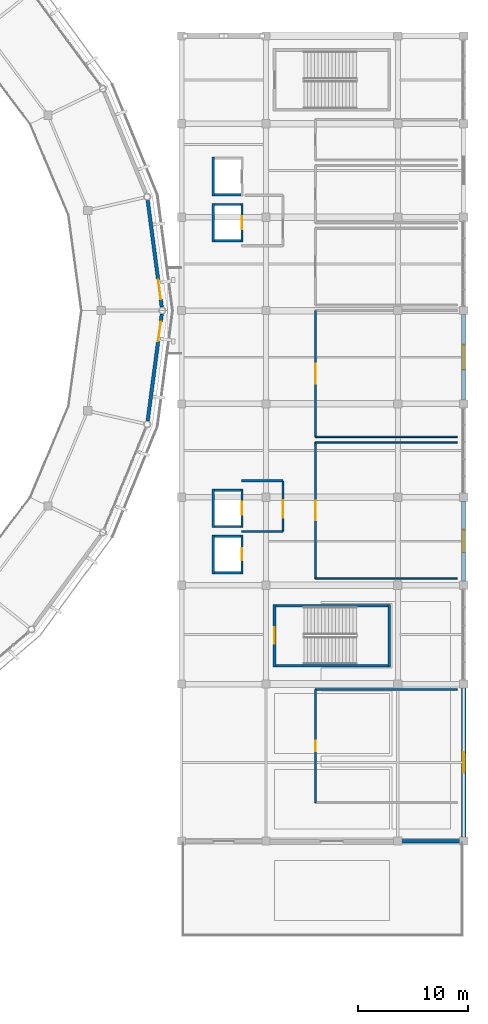
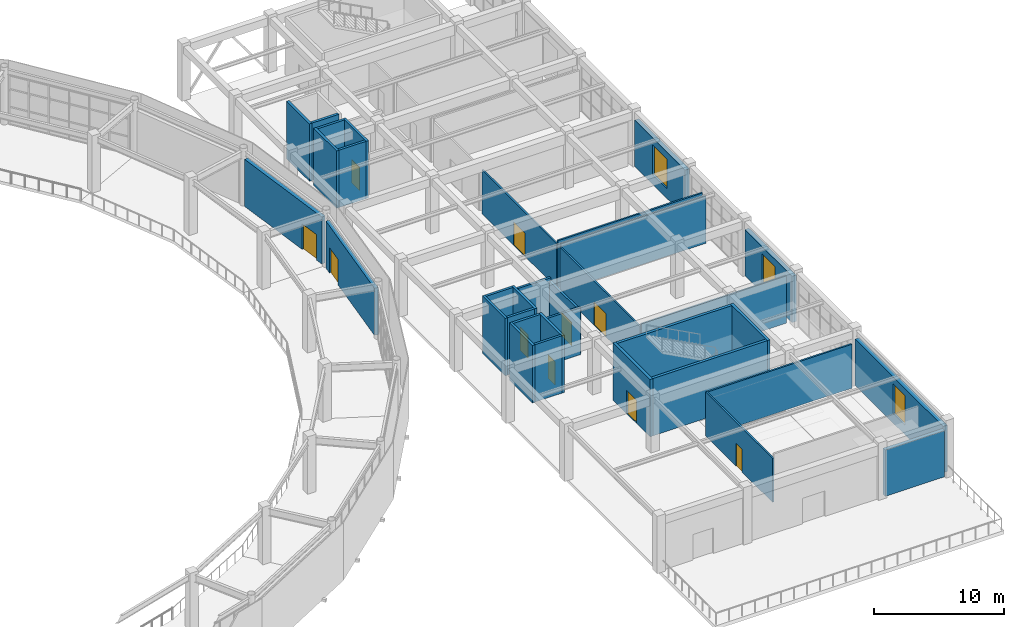
# One storey, part 57 of 70: 34 walls, 10 doors, 3 windows, 13 openings.
"""IFC4 building model written with IfcOpenShell, lengths in metres."""

from ifc_helpers import new_model, si_unit, direction, frame, frame_2d, origin, place, context, subcontext, project, spatial, rectangle, extrude, material, layer, layer_set, type_object, element, fill, save


model = new_model("IFC4")

# Units and contexts
model_context = context("Model", 3, precision=1e-05, world=origin(), true_north=direction((0.0, 1.0)))
body_context = subcontext(model_context, "Body", "Model", "MODEL_VIEW")
ifc_project = project(units=[si_unit("LENGTHUNIT", "METRE"), si_unit("AREAUNIT", "SQUARE_METRE"), si_unit("VOLUMEUNIT", "CUBIC_METRE"), si_unit("PLANEANGLEUNIT", "RADIAN"), si_unit("MASSUNIT", "GRAM", prefix="KILO")], contexts=[model_context])

# Site, building, storey
site_placement = place(None, origin())
site = spatial("IfcSite", under=ifc_project, at=site_placement, CompositionType="ELEMENT")
building_placement = place(site_placement, origin())
building = spatial("IfcBuilding", under=site, at=building_placement, Name="Cuetzalor Civic Arena", CompositionType="ELEMENT")
storey_placement = place(building_placement, frame((0.0, 0.0, 21.0)))
storey = spatial("IfcBuildingStorey", under=building, at=storey_placement, Name="L04", CompositionType="ELEMENT", Elevation=21.0)

# Walls
ifc_material_1 = material(Name="Acoustic steel-stud gypsum partition", Category="steel")
ifc_layer_1 = layer(ifc_material_1, 0.14990234375)
ifc_layer_set_1 = layer_set([ifc_layer_1], Name="Acoustic steel-stud gypsum partition")
wall_type_1 = type_object("IfcWallType", Name="AcousticGypsumPartition_150", PredefinedType="PARTITIONING", material=ifc_layer_set_1)
for number, where, z_axis, x_axis, name in (
    (1, (68.5, -12.0, 0.0), (0.0, 0.0, 1.0), (1.0, 0.0, 0.0), "Interior Partition IWALL:L04:0523"),
    (2, (81.39990234375, -24.39990234375, 0.0), (0.0, 0.0, 1.0), (-1.0, 0.0, 0.0), "Interior Partition IWALL:L04:0524"),
):
    element("IfcWall", number, at=place(storey_placement, frame(where, z_axis=z_axis, x_axis=x_axis)), inside=storey, type_object=wall_type_1, Name=name, PredefinedType="PARTITIONING", context=body_context, shape_type="SweptSolid", body=[
        extrude(rectangle(XDim=12.89990234375, YDim=0.14990234375, at=frame_2d((6.449951171875, 0.0))), origin(), (0.0, 0.0, 1.0), 4.445068359375),
    ])

# Wall, opening, door
wall_1_placement = place(storey_placement, frame((68.5, -24.39990234375, 0.0), z_axis=(0.0, 0.0, 1.0), x_axis=(0.0, 1.0, 0.0)))
wall_1 = element("IfcWall", 3, at=wall_1_placement, inside=storey, type_object=wall_type_1, Name="Interior Partition IWALL:L04:0525", PredefinedType="PARTITIONING", context=body_context, shape_type="SweptSolid", body=[
    extrude(rectangle(XDim=12.39990234375, YDim=0.14990234375, at=frame_2d((6.199951171875, 0.0))), origin(), (0.0, 0.0, 1.0), 4.14501953125),
])
opening_1_placement = place(wall_1_placement, frame((5.300048828125, 0.0, 0.0)))
opening_1 = element("IfcOpeningElement", 4, at=opening_1_placement, cuts=wall_1, Name="Opening ID-06", PredefinedType="OPENING", context=body_context, shape_type="SweptSolid", body=[
    extrude(rectangle(XDim=1.800048828125, YDim=2.199951171875, at=frame_2d((0.89990234375, 1.10009765625))), frame((0.0, 0.0849609375, 0.0), z_axis=(0.0, -1.0, 0.0), x_axis=(1.0, 0.0, 0.0)), (0.0, 0.0, 1.0), 0.169921875),
])
ifc_material_2 = material(Name="Glazed bronze acoustic double door", Category="metal")
door_type_1 = type_object("IfcDoorType", Name="PublicDoubleDoor_1800x2200", OperationType="DOUBLE_DOOR_SINGLE_SWING", PredefinedType="DOOR", material=ifc_material_2)
door_1_placement = place(opening_1_placement, origin())
door_1 = element("IfcDoor", 5, at=door_1_placement, inside=storey, type_object=door_type_1, Name="Door to Hospitality Club Lounge East Sky L04", OperationType="DOUBLE_DOOR_SINGLE_SWING", OverallHeight=2.199951171875, OverallWidth=1.800048828125, PredefinedType="DOOR", context=body_context, shape_type="SweptSolid", body=[
    extrude(rectangle(XDim=1.800048828125, YDim=2.199951171875, at=frame_2d((0.89990234375, 1.10009765625))), frame((0.0, 0.02490234375, 0.0), z_axis=(0.0, -1.0, 0.0), x_axis=(1.0, 0.0, 0.0)), (0.0, 0.0, 1.0), 0.050048828125),
])
fill(opening_1, door_1)

# Wall
wall_2_placement = place(storey_placement, frame((81.39990234375, -11.5, 0.0), z_axis=(0.0, 0.0, 1.0), x_axis=(-1.0, 0.0, 0.0)))
element("IfcWall", 6, at=wall_2_placement, inside=storey, type_object=wall_type_1, Name="Interior Partition IWALL:L04:0527", PredefinedType="PARTITIONING", context=body_context, shape_type="SweptSolid", body=[
    extrude(rectangle(XDim=12.89990234375, YDim=0.14990234375, at=frame_2d((6.449951171875, 0.0))), origin(), (0.0, 0.0, 1.0), 4.445068359375),
])

# Wall, opening, door
wall_3_placement = place(storey_placement, frame((68.5, -11.5, 0.0), z_axis=(0.0, 0.0, 1.0), x_axis=(0.0, 1.0, 0.0)))
wall_3 = element("IfcWall", 7, at=wall_3_placement, inside=storey, type_object=wall_type_1, Name="Interior Partition IWALL:L04:0528", PredefinedType="PARTITIONING", context=body_context, shape_type="SweptSolid", body=[
    extrude(rectangle(XDim=11.5, YDim=0.14990234375, at=frame_2d((5.75, 0.0))), origin(), (0.0, 0.0, 1.0), 4.14501953125),
])
opening_2_placement = place(wall_3_placement, frame((4.85009765625, 0.0, 0.0)))
opening_2 = element("IfcOpeningElement", 8, at=opening_2_placement, cuts=wall_3, Name="Opening ID-06", PredefinedType="OPENING", context=body_context, shape_type="SweptSolid", body=[
    extrude(rectangle(XDim=1.800048828125, YDim=2.199951171875, at=frame_2d((0.89990234375, 1.10009765625))), frame((0.0, 0.0849609375, 0.0), z_axis=(0.0, -1.0, 0.0), x_axis=(1.0, 0.0, 0.0)), (0.0, 0.0, 1.0), 0.169921875),
])
door_2_placement = place(opening_2_placement, origin())
door_2 = element("IfcDoor", 9, at=door_2_placement, inside=storey, type_object=door_type_1, Name="Door to Sponsors Dining Hall East L04", OperationType="DOUBLE_DOOR_SINGLE_SWING", OverallHeight=2.199951171875, OverallWidth=1.800048828125, PredefinedType="DOOR", context=body_context, shape_type="SweptSolid", body=[
    extrude(rectangle(XDim=1.800048828125, YDim=2.199951171875, at=frame_2d((0.89990234375, 1.10009765625))), frame((0.0, 0.02490234375, 0.0), z_axis=(0.0, -1.0, 0.0), x_axis=(1.0, 0.0, 0.0)), (0.0, 0.0, 1.0), 0.050048828125),
])
fill(opening_2, door_2)

# Wall
wall_4_placement = place(storey_placement, frame((68.5, -34.5, 0.0), z_axis=(0.0, 0.0, 1.0), x_axis=(1.0, 0.0, 0.0)))
element("IfcWall", 10, at=wall_4_placement, inside=storey, type_object=wall_type_1, Name="Interior Partition IWALL:L04:0538", PredefinedType="PARTITIONING", context=body_context, shape_type="SweptSolid", body=[
    extrude(rectangle(XDim=12.89990234375, YDim=0.14990234375, at=frame_2d((6.449951171875, 0.0))), origin(), (0.0, 0.0, 1.0), 4.14501953125),
])

# Wall, opening, door
wall_5_placement = place(storey_placement, frame((68.5, -44.800048828125, 0.0), z_axis=(0.0, 0.0, 1.0), x_axis=(0.0, 1.0, 0.0)))
wall_5 = element("IfcWall", 11, at=wall_5_placement, inside=storey, type_object=wall_type_1, Name="Interior Partition IWALL:L04:0540", PredefinedType="PARTITIONING", context=body_context, shape_type="SweptSolid", body=[
    extrude(rectangle(XDim=10.300048828125, YDim=0.14990234375, at=frame_2d((5.14990234375, 0.0))), origin(), (0.0, 0.0, 1.0), 4.14501953125),
])
opening_3_placement = place(wall_5_placement, frame((4.675048828125, 0.0, 0.0)))
opening_3 = element("IfcOpeningElement", 12, at=opening_3_placement, cuts=wall_5, Name="Opening ID-03", PredefinedType="OPENING", context=body_context, shape_type="SweptSolid", body=[
    extrude(rectangle(XDim=0.949951171875, YDim=2.14990234375, at=frame_2d((0.47509765625, 1.074951171875))), frame((0.0, 0.0849609375, 0.0), z_axis=(0.0, -1.0, 0.0), x_axis=(1.0, 0.0, 0.0)), (0.0, 0.0, 1.0), 0.169921875),
])
ifc_material_3 = material(Name="Painted steel frame and solid timber leaf", Category="steel")
door_type_2 = type_object("IfcDoorType", Name="InteriorSingleDoor_950x2150", OperationType="NOTDEFINED", PredefinedType="DOOR", material=ifc_material_3)
door_3_placement = place(opening_3_placement, origin())
door_3 = element("IfcDoor", 13, at=door_3_placement, inside=storey, type_object=door_type_2, Name="Door to Catering Pantry East L04", OperationType="SINGLE_SWING_LEFT", OverallHeight=2.14990234375, OverallWidth=0.949951171875, PredefinedType="DOOR", context=body_context, shape_type="SweptSolid", body=[
    extrude(rectangle(XDim=0.949951171875, YDim=2.14990234375, at=frame_2d((0.47509765625, 1.074951171875))), frame((0.0, 0.02490234375, 0.0), z_axis=(0.0, -1.0, 0.0), x_axis=(1.0, 0.0, 0.0)), (0.0, 0.0, 1.0), 0.050048828125),
])
fill(opening_3, door_3)

ifc_material_4 = material(Name="Concrete C40/50", Category="concrete")
ifc_layer_2 = layer(ifc_material_4, 0.25)
ifc_layer_set_2 = layer_set([ifc_layer_2], Name="Concrete C40/50")
wall_type_2 = type_object("IfcWallType", Name="ConcreteCoreShearWall_250", PredefinedType="SHEAR", material=ifc_layer_set_2)
wall_6_placement = place(storey_placement, frame((64.77490234375, -32.449951171875, 0.0), z_axis=(0.0, 0.0, 1.0), x_axis=(0.0, 1.0, 0.0)))
wall_6 = element("IfcWall", 14, at=wall_6_placement, inside=storey, type_object=wall_type_2, Name="Stair Core Shear Wall ST-21-L04-W", PredefinedType="SHEAR", context=body_context, shape_type="SweptSolid", body=[
    extrude(rectangle(XDim=5.699951171875, YDim=0.25, at=frame_2d((2.85009765625, 0.0))), origin(), (0.0, 0.0, 1.0), 5.39990234375),
])
opening_4_placement = place(wall_6_placement, frame((2.10009765625, 0.0, 0.0)))
opening_4 = element("IfcOpeningElement", 15, at=opening_4_placement, cuts=wall_6, Name="Opening FD-03", PredefinedType="OPENING", context=body_context, shape_type="SweptSolid", body=[
    extrude(rectangle(XDim=1.5, YDim=2.199951171875, at=frame_2d((0.75, 1.10009765625))), frame((0.0, 0.135009765625, 0.0), z_axis=(0.0, -1.0, 0.0), x_axis=(1.0, 0.0, 0.0)), (0.0, 0.0, 1.0), 0.27001953125),
])
ifc_material_5 = material(Name="Fire-rated steel stair exit double door", Category="steel")
door_type_3 = type_object("IfcDoorType", Name="StairFireDoubleDoor_1500x2200", OperationType="DOUBLE_DOOR_SINGLE_SWING", PredefinedType="DOOR", material=ifc_material_5)
door_4_placement = place(opening_4_placement, origin())
door_4 = element("IfcDoor", 16, at=door_4_placement, inside=storey, type_object=door_type_3, Name="Fire Stair Door ST-21 L04", OperationType="DOUBLE_DOOR_SINGLE_SWING", OverallHeight=2.199951171875, OverallWidth=1.5, PredefinedType="DOOR", context=body_context, shape_type="SweptSolid", body=[
    extrude(rectangle(XDim=1.5, YDim=2.199951171875, at=frame_2d((0.75, 1.10009765625))), frame((0.0, 0.02490234375, 0.0), z_axis=(0.0, -1.0, 0.0), x_axis=(1.0, 0.0, 0.0)), (0.0, 0.0, 1.0), 0.050048828125),
])
fill(opening_4, door_4)

# Walls
wall_7_placement = place(storey_placement, frame((64.89990234375, -26.875, 0.0), z_axis=(0.0, 0.0, 1.0), x_axis=(1.0, 0.0, 0.0)))
element("IfcWall", 17, at=wall_7_placement, inside=storey, type_object=wall_type_2, Name="Stair Core Shear Wall ST-21-L04-N", PredefinedType="SHEAR", context=body_context, shape_type="SweptSolid", body=[
    extrude(rectangle(XDim=10.2001953125, YDim=0.25, at=frame_2d((5.10009765625, 0.0))), origin(), (0.0, 0.0, 1.0), 5.39990234375),
])
wall_8_placement = place(storey_placement, frame((75.22509765625, -26.75, 0.0), z_axis=(0.0, 0.0, 1.0), x_axis=(0.0, -1.0, 0.0)))
element("IfcWall", 18, at=wall_8_placement, inside=storey, type_object=wall_type_2, Name="Stair Core Shear Wall ST-21-L04-E", PredefinedType="SHEAR", context=body_context, shape_type="SweptSolid", body=[
    extrude(rectangle(XDim=5.699951171875, YDim=0.25, at=frame_2d((2.85009765625, 0.0))), origin(), (0.0, 0.0, 1.0), 5.39990234375),
])
wall_9_placement = place(storey_placement, frame((75.10009765625, -32.324951171875, 0.0), z_axis=(0.0, 0.0, 1.0), x_axis=(-1.0, 0.0, 0.0)))
element("IfcWall", 19, at=wall_9_placement, inside=storey, type_object=wall_type_2, Name="Stair Core Shear Wall ST-21-L04-S", PredefinedType="SHEAR", context=body_context, shape_type="SweptSolid", body=[
    extrude(rectangle(XDim=10.2001953125, YDim=0.25, at=frame_2d((5.10009765625, 0.0))), origin(), (0.0, 0.0, 1.0), 5.39990234375),
])

# Wall, opening, door
ifc_material_6 = material(Name="Fire-rated masonry and gypsum partition", Category="masonry")
ifc_layer_3 = layer(ifc_material_6, 0.199951171875)
ifc_layer_set_3 = layer_set([ifc_layer_3], Name="Fire-rated masonry and gypsum partition")
wall_type_3 = type_object("IfcWallType", Name="FireCompartmentWall_200", PredefinedType="PARTITIONING", material=ifc_layer_set_3)
wall_10_placement = place(storey_placement, frame((65.550048828125, -15.5, 0.0), z_axis=(0.0, 0.0, 1.0), x_axis=(0.0, -1.0, 0.0)))
wall_10 = element("IfcWall", 20, at=wall_10_placement, inside=storey, type_object=wall_type_3, Name="Interior Partition IWALL:L04:0049", PredefinedType="PARTITIONING", context=body_context, shape_type="SweptSolid", body=[
    extrude(rectangle(XDim=4.60009765625, YDim=0.199951171875, at=frame_2d((2.300048828125, 0.0))), origin(), (0.0, 0.0, 1.0), 4.14501953125),
])
opening_5_placement = place(wall_10_placement, frame((1.75, 0.0, 0.0)))
opening_5 = element("IfcOpeningElement", 21, at=opening_5_placement, cuts=wall_10, Name="Opening FD-05", PredefinedType="OPENING", context=body_context, shape_type="SweptSolid", body=[
    extrude(rectangle(XDim=1.60009765625, YDim=2.199951171875, at=frame_2d((0.800048828125, 1.10009765625))), frame((0.0, 0.10986328125, 0.0), z_axis=(0.0, -1.0, 0.0), x_axis=(1.0, 0.0, 0.0)), (0.0, 0.0, 1.0), 0.219970703125),
])
ifc_material_7 = material(Name="Fire-rated smoke-seal lobby double door", Category="steel")
door_type_4 = type_object("IfcDoorType", Name="FireLobbyDoubleDoor_1600x2200", OperationType="DOUBLE_DOOR_SINGLE_SWING", PredefinedType="DOOR", material=ifc_material_7)
door_5_placement = place(opening_5_placement, origin())
door_5 = element("IfcDoor", 22, at=door_5_placement, inside=storey, type_object=door_type_4, Name="Door to Firefighting Lift Lobby LF-03 L04", OperationType="DOUBLE_DOOR_SINGLE_SWING", OverallHeight=2.199951171875, OverallWidth=1.60009765625, PredefinedType="DOOR", context=body_context, shape_type="SweptSolid", body=[
    extrude(rectangle(XDim=1.60009765625, YDim=2.199951171875, at=frame_2d((0.800048828125, 1.10009765625))), frame((0.0, 0.02490234375, 0.0), z_axis=(0.0, -1.0, 0.0), x_axis=(1.0, 0.0, 0.0)), (0.0, 0.0, 1.0), 0.050048828125),
])
fill(opening_5, door_5)

# Walls
for number, where, z_axis, x_axis, name in (
    (23, (61.75, -15.5, 0.0), (0.0, 0.0, 1.0), (1.0, 0.0, 0.0), "Interior Partition IWALL:L04:0050"),
    (24, (65.550048828125, -20.10009765625, 0.0), (0.0, 0.0, 1.0), (-1.0, 0.0, 0.0), "Interior Partition IWALL:L04:0051"),
):
    element("IfcWall", number, at=place(storey_placement, frame(where, z_axis=z_axis, x_axis=x_axis)), inside=storey, type_object=wall_type_3, Name=name, PredefinedType="PARTITIONING", context=body_context, shape_type="SweptSolid", body=[
        extrude(rectangle(XDim=3.800048828125, YDim=0.199951171875, at=frame_2d((1.89990234375, 0.0))), origin(), (0.0, 0.0, 1.0), 4.445068359375),
    ])

# Wall, opening, door
ifc_material_8 = material(Name="Precast concrete C40/50 insulated cladding", Category="concrete")
ifc_layer_4 = layer(ifc_material_8, 0.320068359375)
ifc_layer_set_4 = layer_set([ifc_layer_4], Name="Precast concrete C40/50 insulated cladding")
wall_type_4 = type_object("IfcWallType", Name="InsulatedPrecastWall_320", PredefinedType="SOLIDWALL", material=ifc_layer_set_4)
wall_11_placement = place(storey_placement, frame((53.224853515625, 10.036865234375, 0.0), z_axis=(0.0, 0.0, 1.0), x_axis=(0.130894016981, -0.991396366908, 0.0)))
wall_11 = element("IfcWall", 25, at=wall_11_placement, inside=storey, type_object=wall_type_4, Name="Drum Acoustic Backing Wall L04-057", PredefinedType="SOLIDWALL", context=body_context, shape_type="SweptSolid", body=[
    extrude(rectangle(XDim=9.799560546875, YDim=0.320068359375, at=frame_2d((4.89990234375, 0.0))), origin(), (0.0, 0.0, 1.0), 4.431884765625),
])
opening_6_placement = place(wall_11_placement, frame((7.299560546875, 0.0, 0.0)))
opening_6 = element("IfcOpeningElement", 26, at=opening_6_placement, cuts=wall_11, Name="Opening ED-09", PredefinedType="OPENING", context=body_context, shape_type="SweptSolid", body=[
    extrude(rectangle(XDim=1.800048828125, YDim=2.39990234375, at=frame_2d((0.89990234375, 1.199951171875))), frame((0.0, 0.169921875, 0.0), z_axis=(0.0, -1.0, 0.0), x_axis=(1.0, 0.0, 0.0)), (0.0, 0.0, 1.0), 0.340087890625),
])
ifc_material_9 = material(Name="Thermally broken bronze steel and laminated glass", Category="steel")
door_type_5 = type_object("IfcDoorType", Name="RoofGardenGlazedDoor_1800x2400", OperationType="DOUBLE_DOOR_SINGLE_SWING", PredefinedType="DOOR", material=ifc_material_9)
door_6_placement = place(opening_6_placement, origin())
door_6 = element("IfcDoor", 27, at=door_6_placement, inside=storey, type_object=door_type_5, Name="Seismic Bridge Circulation Door L04-S01", OperationType="DOUBLE_DOOR_SINGLE_SWING", OverallHeight=2.39990234375, OverallWidth=1.800048828125, PredefinedType="DOOR", context=body_context, shape_type="SweptSolid", body=[
    extrude(rectangle(XDim=1.800048828125, YDim=2.39990234375, at=frame_2d((0.89990234375, 1.199951171875))), frame((0.0, 0.02490234375, 0.0), z_axis=(0.0, -1.0, 0.0), x_axis=(1.0, 0.0, 0.0)), (0.0, 0.0, 1.0), 0.050048828125),
])
fill(opening_6, door_6)

wall_12_placement = place(storey_placement, frame((54.507568359375, -0.321533203125, 0.0), z_axis=(0.0, 0.0, 1.0), x_axis=(-0.130894016981, -0.991396366908, 0.0)))
wall_12 = element("IfcWall", 28, at=wall_12_placement, inside=storey, type_object=wall_type_4, Name="Drum Acoustic Backing Wall L04-072", PredefinedType="SOLIDWALL", context=body_context, shape_type="SweptSolid", body=[
    extrude(rectangle(XDim=9.799560546875, YDim=0.320068359375, at=frame_2d((4.89990234375, 0.0))), origin(), (0.0, 0.0, 1.0), 4.431884765625),
])
opening_7_placement = place(wall_12_placement, frame((0.699951171875, 0.0, 0.0)))
opening_7 = element("IfcOpeningElement", 29, at=opening_7_placement, cuts=wall_12, Name="Opening ED-09", PredefinedType="OPENING", context=body_context, shape_type="SweptSolid", body=[
    extrude(rectangle(XDim=1.800048828125, YDim=2.39990234375, at=frame_2d((0.89990234375, 1.199951171875))), frame((0.0, 0.169921875, 0.0), z_axis=(0.0, -1.0, 0.0), x_axis=(1.0, 0.0, 0.0)), (0.0, 0.0, 1.0), 0.340087890625),
])
door_7_placement = place(opening_7_placement, origin())
door_7 = element("IfcDoor", 30, at=door_7_placement, inside=storey, type_object=door_type_5, Name="Seismic Bridge Circulation Door L04-S28", OperationType="DOUBLE_DOOR_SINGLE_SWING", OverallHeight=2.39990234375, OverallWidth=1.800048828125, PredefinedType="DOOR", context=body_context, shape_type="SweptSolid", body=[
    extrude(rectangle(XDim=1.800048828125, YDim=2.39990234375, at=frame_2d((0.89990234375, 1.199951171875))), frame((0.0, 0.02490234375, 0.0), z_axis=(0.0, -1.0, 0.0), x_axis=(1.0, 0.0, 0.0)), (0.0, 0.0, 1.0), 0.050048828125),
])
fill(opening_7, door_7)

# Walls
wall_13_placement = place(storey_placement, frame((81.64306640625, -48.300048828125, 0.0), z_axis=(0.0, 0.0, 1.0), x_axis=(-1.0, 0.0, 0.0)))
element("IfcWall", 31, at=wall_13_placement, inside=storey, type_object=wall_type_4, Name="V4E L04 Roof Garden Access Wall L04-186", PredefinedType="SOLIDWALL", context=body_context, shape_type="SweptSolid", body=[
    extrude(rectangle(XDim=5.2861328125, YDim=0.320068359375, at=frame_2d((2.64306640625, 0.0))), origin(), (0.0, 0.0, 1.0), 4.360107421875),
])
ifc_material_10 = material(Name="Concrete C40/50", Category="concrete")
ifc_layer_5 = layer(ifc_material_10, 0.219970703125)
ifc_layer_set_5 = layer_set([ifc_layer_5], Name="Concrete C40/50")
wall_type_5 = type_object("IfcWallType", Name="LiftShaftShearWall_220", PredefinedType="SHEAR", material=ifc_layer_set_5)
wall_14_placement = place(storey_placement, frame((59.18994140625, -19.77001953125, 0.0), z_axis=(0.0, 0.0, 1.0), x_axis=(0.0, 1.0, 0.0)))
element("IfcWall", 32, at=wall_14_placement, inside=storey, type_object=wall_type_5, Name="Lift Shaft Wall LF-03-L04-W", PredefinedType="SHEAR", context=body_context, shape_type="SweptSolid", body=[
    extrude(rectangle(XDim=3.5400390625, YDim=0.219970703125, at=frame_2d((1.77001953125, 0.0))), origin(), (0.0, 0.0, 1.0), 5.39990234375),
])
wall_15_placement = place(storey_placement, frame((59.300048828125, -16.340087890625, 0.0), z_axis=(0.0, 0.0, 1.0), x_axis=(1.0, 0.0, 0.0)))
element("IfcWall", 33, at=wall_15_placement, inside=storey, type_object=wall_type_5, Name="Lift Shaft Wall LF-03-L04-N", PredefinedType="SHEAR", context=body_context, shape_type="SweptSolid", body=[
    extrude(rectangle(XDim=2.39990234375, YDim=0.219970703125, at=frame_2d((1.199951171875, 0.0))), origin(), (0.0, 0.0, 1.0), 5.39990234375),
])

# Wall, opening, door
wall_16_placement = place(storey_placement, frame((61.81005859375, -16.22998046875, 0.0), z_axis=(0.0, 0.0, 1.0), x_axis=(0.0, -1.0, 0.0)))
wall_16 = element("IfcWall", 34, at=wall_16_placement, inside=storey, type_object=wall_type_5, Name="Lift Shaft Wall LF-03-L04-E", PredefinedType="SHEAR", context=body_context, shape_type="SweptSolid", body=[
    extrude(rectangle(XDim=3.5400390625, YDim=0.219970703125, at=frame_2d((1.77001953125, 0.0))), origin(), (0.0, 0.0, 1.0), 5.39990234375),
])
opening_8_placement = place(wall_16_placement, frame((1.169921875, 0.0, 0.0)))
opening_8 = element("IfcOpeningElement", 35, at=opening_8_placement, cuts=wall_16, Name="Opening LD-02", PredefinedType="OPENING", context=body_context, shape_type="SweptSolid", body=[
    extrude(rectangle(XDim=1.199951171875, YDim=2.199951171875, at=frame_2d((0.60009765625, 1.10009765625))), frame((0.0, 0.1201171875, 0.0), z_axis=(0.0, -1.0, 0.0), x_axis=(1.0, 0.0, 0.0)), (0.0, 0.0, 1.0), 0.239990234375),
])
ifc_material_11 = material(Name="Fire-rated stainless steel sliding lift landing door", Category="steel")
door_type_6 = type_object("IfcDoorType", Name="LiftLandingSlidingDoor_1200x2200", OperationType="SLIDING_TO_LEFT", PredefinedType="DOOR", material=ifc_material_11)
door_8_placement = place(opening_8_placement, origin())
door_8 = element("IfcDoor", 36, at=door_8_placement, inside=storey, type_object=door_type_6, Name="Lift Landing Sliding Door LF-03 L04", OperationType="SLIDING_TO_LEFT", OverallHeight=2.199951171875, OverallWidth=1.199951171875, PredefinedType="DOOR", context=body_context, shape_type="SweptSolid", body=[
    extrude(rectangle(XDim=1.199951171875, YDim=2.199951171875, at=frame_2d((0.60009765625, 1.10009765625))), frame((0.0, 0.02490234375, 0.0), z_axis=(0.0, -1.0, 0.0), x_axis=(1.0, 0.0, 0.0)), (0.0, 0.0, 1.0), 0.050048828125),
])
fill(opening_8, door_8)

# Walls
wall_17_placement = place(storey_placement, frame((61.699951171875, -19.659912109375, 0.0), z_axis=(0.0, 0.0, 1.0), x_axis=(-1.0, 0.0, 0.0)))
element("IfcWall", 37, at=wall_17_placement, inside=storey, type_object=wall_type_5, Name="Lift Shaft Wall LF-03-L04-S", PredefinedType="SHEAR", context=body_context, shape_type="SweptSolid", body=[
    extrude(rectangle(XDim=2.39990234375, YDim=0.219970703125, at=frame_2d((1.199951171875, 0.0))), origin(), (0.0, 0.0, 1.0), 5.39990234375),
])
wall_18_placement = place(storey_placement, frame((59.18994140625, 6.22998046875, 0.0), z_axis=(0.0, 0.0, 1.0), x_axis=(0.0, 1.0, 0.0)))
element("IfcWall", 38, at=wall_18_placement, inside=storey, type_object=wall_type_5, Name="Lift Shaft Wall LF-04-L04-W", PredefinedType="SHEAR", context=body_context, shape_type="SweptSolid", body=[
    extrude(rectangle(XDim=3.5400390625, YDim=0.219970703125, at=frame_2d((1.77001953125, 0.0))), origin(), (0.0, 0.0, 1.0), 5.39990234375),
])
wall_19_placement = place(storey_placement, frame((59.300048828125, 9.659912109375, 0.0), z_axis=(0.0, 0.0, 1.0), x_axis=(1.0, 0.0, 0.0)))
element("IfcWall", 39, at=wall_19_placement, inside=storey, type_object=wall_type_5, Name="Lift Shaft Wall LF-04-L04-N", PredefinedType="SHEAR", context=body_context, shape_type="SweptSolid", body=[
    extrude(rectangle(XDim=2.39990234375, YDim=0.219970703125, at=frame_2d((1.199951171875, 0.0))), origin(), (0.0, 0.0, 1.0), 5.39990234375),
])

# Wall, opening, door
wall_20_placement = place(storey_placement, frame((61.81005859375, 9.77001953125, 0.0), z_axis=(0.0, 0.0, 1.0), x_axis=(0.0, -1.0, 0.0)))
wall_20 = element("IfcWall", 40, at=wall_20_placement, inside=storey, type_object=wall_type_5, Name="Lift Shaft Wall LF-04-L04-E", PredefinedType="SHEAR", context=body_context, shape_type="SweptSolid", body=[
    extrude(rectangle(XDim=3.5400390625, YDim=0.219970703125, at=frame_2d((1.77001953125, 0.0))), origin(), (0.0, 0.0, 1.0), 5.39990234375),
])
opening_9_placement = place(wall_20_placement, frame((1.169921875, 0.0, 0.0)))
opening_9 = element("IfcOpeningElement", 41, at=opening_9_placement, cuts=wall_20, Name="Opening LD-02", PredefinedType="OPENING", context=body_context, shape_type="SweptSolid", body=[
    extrude(rectangle(XDim=1.199951171875, YDim=2.199951171875, at=frame_2d((0.60009765625, 1.10009765625))), frame((0.0, 0.1201171875, 0.0), z_axis=(0.0, -1.0, 0.0), x_axis=(1.0, 0.0, 0.0)), (0.0, 0.0, 1.0), 0.239990234375),
])
door_9_placement = place(opening_9_placement, origin())
door_9 = element("IfcDoor", 42, at=door_9_placement, inside=storey, type_object=door_type_6, Name="Lift Landing Sliding Door LF-04 L04", OperationType="SLIDING_TO_LEFT", OverallHeight=2.199951171875, OverallWidth=1.199951171875, PredefinedType="DOOR", context=body_context, shape_type="SweptSolid", body=[
    extrude(rectangle(XDim=1.199951171875, YDim=2.199951171875, at=frame_2d((0.60009765625, 1.10009765625))), frame((0.0, 0.02490234375, 0.0), z_axis=(0.0, -1.0, 0.0), x_axis=(1.0, 0.0, 0.0)), (0.0, 0.0, 1.0), 0.050048828125),
])
fill(opening_9, door_9)

# Walls
wall_21_placement = place(storey_placement, frame((61.699951171875, 6.340087890625, 0.0), z_axis=(0.0, 0.0, 1.0), x_axis=(-1.0, 0.0, 0.0)))
element("IfcWall", 43, at=wall_21_placement, inside=storey, type_object=wall_type_5, Name="Lift Shaft Wall LF-04-L04-S", PredefinedType="SHEAR", context=body_context, shape_type="SweptSolid", body=[
    extrude(rectangle(XDim=2.39990234375, YDim=0.219970703125, at=frame_2d((1.199951171875, 0.0))), origin(), (0.0, 0.0, 1.0), 5.39990234375),
])
wall_22_placement = place(storey_placement, frame((59.18994140625, -23.969970703125, 0.0), z_axis=(0.0, 0.0, 1.0), x_axis=(0.0, 1.0, 0.0)))
element("IfcWall", 44, at=wall_22_placement, inside=storey, type_object=wall_type_5, Name="Lift Shaft Wall LP-05-L04-W", PredefinedType="SHEAR", context=body_context, shape_type="SweptSolid", body=[
    extrude(rectangle(XDim=3.5400390625, YDim=0.219970703125, at=frame_2d((1.77001953125, 0.0))), origin(), (0.0, 0.0, 1.0), 5.39990234375),
])
wall_23_placement = place(storey_placement, frame((59.300048828125, -20.5400390625, 0.0), z_axis=(0.0, 0.0, 1.0), x_axis=(1.0, 0.0, 0.0)))
element("IfcWall", 45, at=wall_23_placement, inside=storey, type_object=wall_type_5, Name="Lift Shaft Wall LP-05-L04-N", PredefinedType="SHEAR", context=body_context, shape_type="SweptSolid", body=[
    extrude(rectangle(XDim=2.39990234375, YDim=0.219970703125, at=frame_2d((1.199951171875, 0.0))), origin(), (0.0, 0.0, 1.0), 5.39990234375),
])

# Wall, opening, door
wall_24_placement = place(storey_placement, frame((61.81005859375, -20.429931640625, 0.0), z_axis=(0.0, 0.0, 1.0), x_axis=(0.0, -1.0, 0.0)))
wall_24 = element("IfcWall", 46, at=wall_24_placement, inside=storey, type_object=wall_type_5, Name="Lift Shaft Wall LP-05-L04-E", PredefinedType="SHEAR", context=body_context, shape_type="SweptSolid", body=[
    extrude(rectangle(XDim=3.5400390625, YDim=0.219970703125, at=frame_2d((1.77001953125, 0.0))), origin(), (0.0, 0.0, 1.0), 5.39990234375),
])
opening_10_placement = place(wall_24_placement, frame((1.219970703125, 0.0, 0.0)))
opening_10 = element("IfcOpeningElement", 47, at=opening_10_placement, cuts=wall_24, Name="Opening LD-01", PredefinedType="OPENING", context=body_context, shape_type="SweptSolid", body=[
    extrude(rectangle(XDim=1.10009765625, YDim=2.199951171875, at=frame_2d((0.550048828125, 1.10009765625))), frame((0.0, 0.1201171875, 0.0), z_axis=(0.0, -1.0, 0.0), x_axis=(1.0, 0.0, 0.0)), (0.0, 0.0, 1.0), 0.239990234375),
])
ifc_material_12 = material(Name="Brushed stainless steel sliding lift landing door", Category="steel")
door_type_7 = type_object("IfcDoorType", Name="LiftLandingSlidingDoor_1100x2200", OperationType="SLIDING_TO_LEFT", PredefinedType="DOOR", material=ifc_material_12)
door_10_placement = place(opening_10_placement, origin())
door_10 = element("IfcDoor", 48, at=door_10_placement, inside=storey, type_object=door_type_7, Name="Lift Landing Sliding Door LP-05 L04", OperationType="SLIDING_TO_LEFT", OverallHeight=2.199951171875, OverallWidth=1.10009765625, PredefinedType="DOOR", context=body_context, shape_type="SweptSolid", body=[
    extrude(rectangle(XDim=1.10009765625, YDim=2.199951171875, at=frame_2d((0.550048828125, 1.10009765625))), frame((0.0, 0.02490234375, 0.0), z_axis=(0.0, -1.0, 0.0), x_axis=(1.0, 0.0, 0.0)), (0.0, 0.0, 1.0), 0.050048828125),
])
fill(opening_10, door_10)

# Walls
wall_25_placement = place(storey_placement, frame((61.699951171875, -23.860107421875, 0.0), z_axis=(0.0, 0.0, 1.0), x_axis=(-1.0, 0.0, 0.0)))
element("IfcWall", 49, at=wall_25_placement, inside=storey, type_object=wall_type_5, Name="Lift Shaft Wall LP-05-L04-S", PredefinedType="SHEAR", context=body_context, shape_type="SweptSolid", body=[
    extrude(rectangle(XDim=2.39990234375, YDim=0.219970703125, at=frame_2d((1.199951171875, 0.0))), origin(), (0.0, 0.0, 1.0), 5.39990234375),
])
wall_26_placement = place(storey_placement, frame((59.18994140625, 10.429931640625, 0.0), z_axis=(0.0, 0.0, 1.0), x_axis=(0.0, 1.0, 0.0)))
element("IfcWall", 50, at=wall_26_placement, inside=storey, type_object=wall_type_5, Name="Lift Shaft Wall LP-06-L04-W", PredefinedType="SHEAR", context=body_context, shape_type="SweptSolid", body=[
    extrude(rectangle(XDim=3.5400390625, YDim=0.219970703125, at=frame_2d((1.77001953125, 0.0))), origin(), (0.0, 0.0, 1.0), 5.39990234375),
])
wall_27_placement = place(storey_placement, frame((61.699951171875, 10.5400390625, 0.0), z_axis=(0.0, 0.0, 1.0), x_axis=(-1.0, 0.0, 0.0)))
element("IfcWall", 51, at=wall_27_placement, inside=storey, type_object=wall_type_5, Name="Lift Shaft Wall LP-06-L04-S", PredefinedType="SHEAR", context=body_context, shape_type="SweptSolid", body=[
    extrude(rectangle(XDim=2.39990234375, YDim=0.219970703125, at=frame_2d((1.199951171875, 0.0))), origin(), (0.0, 0.0, 1.0), 5.39990234375),
])

# Wall, opening, window
ifc_material_13 = material(Name="Polychrome Talavera ceramic on Concrete C35/45", Category="concrete")
ifc_layer_6 = layer(ifc_material_13, 0.3798828125)
ifc_layer_set_6 = layer_set([ifc_layer_6], Name="Polychrome Talavera ceramic on Concrete C35/45")
wall_type_6 = type_object("IfcWallType", Name="TalaveraSpandrelWall_380", PredefinedType="SOLIDWALL", material=ifc_layer_set_6)
wall_28_placement = place(storey_placement, frame((82.0, -34.35693359375, 0.0), z_axis=(0.0, 0.0, 1.0), x_axis=(0.0, -1.0, 0.0)))
wall_28 = element("IfcWall", 52, at=wall_28_placement, inside=storey, type_object=wall_type_6, Name="V4E Outer Talavera Wall L04-174", PredefinedType="SOLIDWALL", context=body_context, shape_type="SweptSolid", body=[
    extrude(rectangle(XDim=13.586181640625, YDim=0.3798828125, at=frame_2d((6.79296875, 0.0))), origin(), (0.0, 0.0, 1.0), 4.360107421875),
])
opening_11_placement = place(wall_28_placement, frame((5.867919921875, 0.0, 0.89990234375)))
opening_11 = element("IfcOpeningElement", 53, at=opening_11_placement, cuts=wall_28, Name="Opening WN-59", PredefinedType="OPENING", context=body_context, shape_type="SweptSolid", body=[
    extrude(rectangle(XDim=1.85009765625, YDim=2.800048828125, at=frame_2d((0.925048828125, 1.39990234375))), frame((0.0, 0.199951171875, 0.0), z_axis=(0.0, -1.0, 0.0), x_axis=(1.0, 0.0, 0.0)), (0.0, 0.0, 1.0), 0.39990234375),
])
ifc_material_14 = material(Name="Anodised bronze aluminium and low-E solar glass", Category="aluminium")
window_type_1 = type_object("IfcWindowType", Name="BronzeThermalWindow_1850x2800", PartitioningType="SINGLE_PANEL", PredefinedType="WINDOW", material=ifc_material_14)
window_1_placement = place(opening_11_placement, origin())
window_1 = element("IfcWindow", 54, at=window_1_placement, inside=storey, type_object=window_type_1, Name="V4E Facade Window L04-0059", OverallHeight=2.800048828125, OverallWidth=1.85009765625, PartitioningType="SINGLE_PANEL", PredefinedType="WINDOW", context=body_context, shape_type="SweptSolid", body=[
    extrude(rectangle(XDim=1.85009765625, YDim=2.800048828125, at=frame_2d((0.925048828125, 1.39990234375))), frame((0.0, 0.030029296875, 0.0), z_axis=(0.0, -1.0, 0.0), x_axis=(1.0, 0.0, 0.0)), (0.0, 0.0, 1.0), 0.06005859375),
])
fill(opening_11, window_1)

wall_29_placement = place(storey_placement, frame((82.0, -17.35693359375, 0.0), z_axis=(0.0, 0.0, 1.0), x_axis=(0.0, -1.0, 0.0)))
wall_29 = element("IfcWall", 55, at=wall_29_placement, inside=storey, type_object=wall_type_6, Name="V4E Outer Talavera Wall L04-175", PredefinedType="SOLIDWALL", context=body_context, shape_type="SweptSolid", body=[
    extrude(rectangle(XDim=7.2861328125, YDim=0.3798828125, at=frame_2d((3.64306640625, 0.0))), origin(), (0.0, 0.0, 1.0), 4.360107421875),
])
opening_12_placement = place(wall_29_placement, frame((2.617919921875, 0.0, 0.89990234375)))
opening_12 = element("IfcOpeningElement", 56, at=opening_12_placement, cuts=wall_29, Name="Opening WN-60", PredefinedType="OPENING", context=body_context, shape_type="SweptSolid", body=[
    extrude(rectangle(XDim=2.050048828125, YDim=2.800048828125, at=frame_2d((1.02490234375, 1.39990234375))), frame((0.0, 0.199951171875, 0.0), z_axis=(0.0, -1.0, 0.0), x_axis=(1.0, 0.0, 0.0)), (0.0, 0.0, 1.0), 0.39990234375),
])
ifc_material_15 = material(Name="Anodised bronze aluminium and low-E solar glass", Category="aluminium")
window_type_2 = type_object("IfcWindowType", Name="BronzeThermalWindow_2050x2800", PartitioningType="DOUBLE_PANEL_VERTICAL", PredefinedType="WINDOW", material=ifc_material_15)
window_2_placement = place(opening_12_placement, origin())
window_2 = element("IfcWindow", 57, at=window_2_placement, inside=storey, type_object=window_type_2, Name="V4E Facade Window L04-0060", OverallHeight=2.800048828125, OverallWidth=2.050048828125, PartitioningType="SINGLE_PANEL", PredefinedType="WINDOW", context=body_context, shape_type="SweptSolid", body=[
    extrude(rectangle(XDim=2.050048828125, YDim=2.800048828125, at=frame_2d((1.02490234375, 1.39990234375))), frame((0.0, 0.030029296875, 0.0), z_axis=(0.0, -1.0, 0.0), x_axis=(1.0, 0.0, 0.0)), (0.0, 0.0, 1.0), 0.06005859375),
])
fill(opening_12, window_2)

wall_30_placement = place(storey_placement, frame((82.0, -0.35693359375, 0.0), z_axis=(0.0, 0.0, 1.0), x_axis=(0.0, -1.0, 0.0)))
wall_30 = element("IfcWall", 58, at=wall_30_placement, inside=storey, type_object=wall_type_6, Name="V4E Outer Talavera Wall L04-176", PredefinedType="SOLIDWALL", context=body_context, shape_type="SweptSolid", body=[
    extrude(rectangle(XDim=7.7861328125, YDim=0.3798828125, at=frame_2d((3.89306640625, 0.0))), origin(), (0.0, 0.0, 1.0), 4.360107421875),
])
opening_13_placement = place(wall_30_placement, frame((2.76806640625, 0.0, 0.89990234375)))
opening_13 = element("IfcOpeningElement", 59, at=opening_13_placement, cuts=wall_30, Name="Opening WN-61", PredefinedType="OPENING", context=body_context, shape_type="SweptSolid", body=[
    extrude(rectangle(XDim=2.25, YDim=2.800048828125, at=frame_2d((1.125, 1.39990234375))), frame((0.0, 0.199951171875, 0.0), z_axis=(0.0, -1.0, 0.0), x_axis=(1.0, 0.0, 0.0)), (0.0, 0.0, 1.0), 0.39990234375),
])
ifc_material_16 = material(Name="Anodised bronze aluminium and low-E solar glass", Category="aluminium")
window_type_3 = type_object("IfcWindowType", Name="BronzeThermalWindow_2250x2800", PartitioningType="DOUBLE_PANEL_VERTICAL", PredefinedType="WINDOW", material=ifc_material_16)
window_3_placement = place(opening_13_placement, origin())
window_3 = element("IfcWindow", 60, at=window_3_placement, inside=storey, type_object=window_type_3, Name="V4E Facade Window L04-0061", OverallHeight=2.800048828125, OverallWidth=2.25, PartitioningType="SINGLE_PANEL", PredefinedType="WINDOW", context=body_context, shape_type="SweptSolid", body=[
    extrude(rectangle(XDim=2.25, YDim=2.800048828125, at=frame_2d((1.125, 1.39990234375))), frame((0.0, 0.030029296875, 0.0), z_axis=(0.0, -1.0, 0.0), x_axis=(1.0, 0.0, 0.0)), (0.0, 0.0, 1.0), 0.06005859375),
])
fill(opening_13, window_3)

save(model, "model.ifc")
